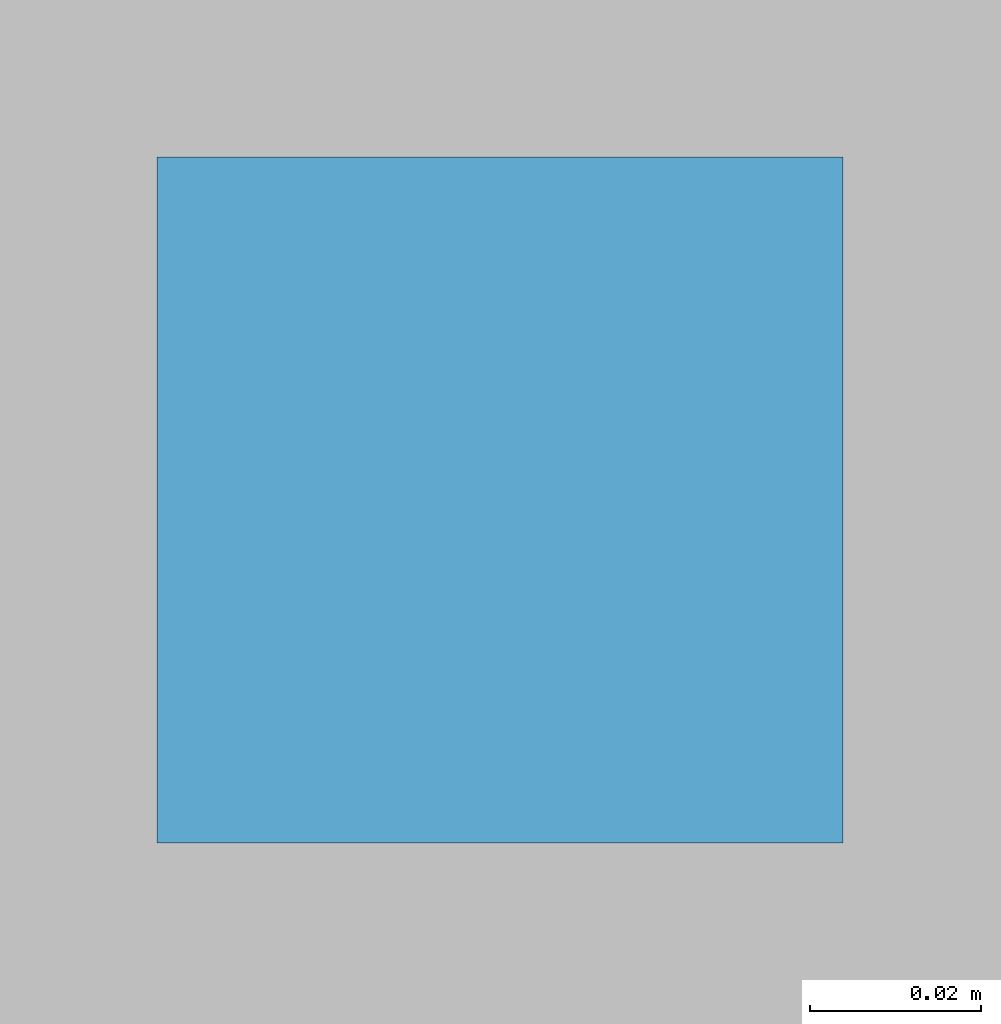
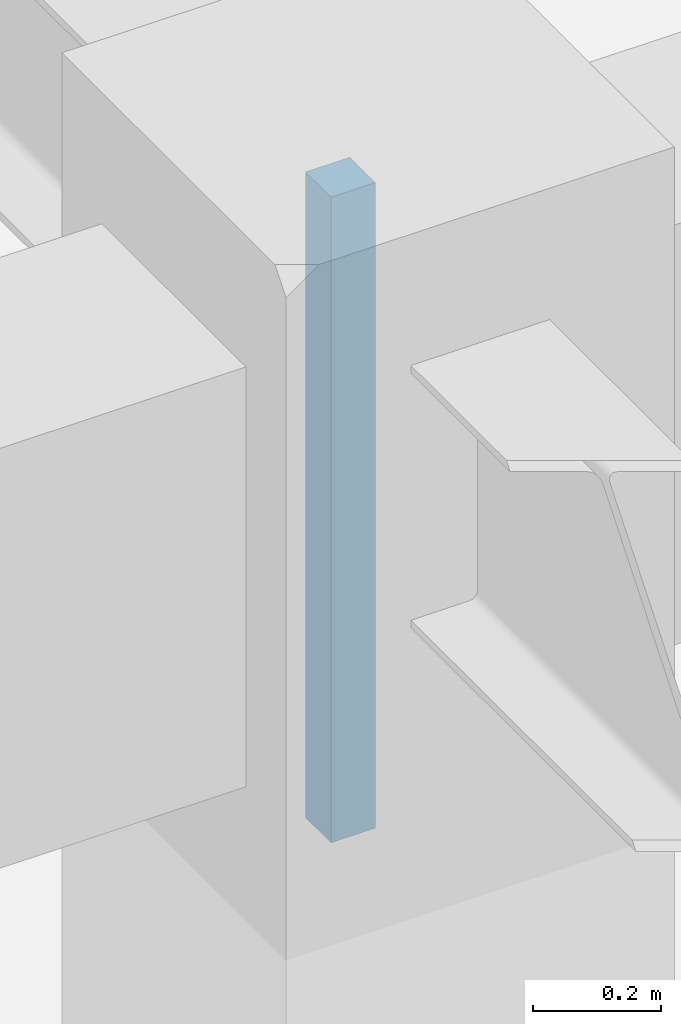
# One storey, part 142 of 163: 1 discrete accessory.
"""IFC4 building model written with IfcOpenShell, lengths in metres."""

from ifc_helpers import new_model, si_unit, direction, frame, origin, origin_2d, place, context, subcontext, project, spatial, rectangle, extrude, material, layer, layer_set, type_object, element, save


model = new_model("IFC4")

# Units and contexts
model_context = context("Model", 3, precision=1e-05, world=origin(), true_north=direction((0.0, 1.0)))
body_context = subcontext(model_context, "Body", "Model", "MODEL_VIEW")
ifc_project = project(units=[si_unit("LENGTHUNIT", "METRE"), si_unit("AREAUNIT", "SQUARE_METRE"), si_unit("VOLUMEUNIT", "CUBIC_METRE"), si_unit("PLANEANGLEUNIT", "RADIAN"), si_unit("MASSUNIT", "GRAM", prefix="KILO")], contexts=[model_context])

# Site, building, storey
site_placement = place(None, origin())
site = spatial("IfcSite", under=ifc_project, at=site_placement, CompositionType="ELEMENT")
building_placement = place(site_placement, origin())
building = spatial("IfcBuilding", under=site, at=building_placement, Name="Varnabhumi Central Station", CompositionType="ELEMENT")
storey_placement = place(building_placement, frame((0.0, 0.0, 9.60009765625)))
storey = spatial("IfcBuildingStorey", under=building, at=storey_placement, Name="L02", CompositionType="ELEMENT", Elevation=9.60009765625)

# Discrete accessory
ifc_material = material(Name="Structural steel E350", Category="steel")
ifc_layer = layer(ifc_material, 0.159912109375, Name="Structural steel E350", Category="steel")
ifc_layer_set = layer_set([ifc_layer], Name="Structural steel E350")
discrete_accessory_type = type_object("IfcDiscreteAccessoryType", Name="ACC-SHADE-BRKT", PredefinedType="BRACKET", material=ifc_layer_set)
discrete_accessory_placement = place(storey_placement, frame((47.949951171875, 27.0, 5.239990234375), z_axis=(0.0, 0.0, 1.0), x_axis=(1.0, 0.0, 0.0)))
element("IfcDiscreteAccessory", 1, at=discrete_accessory_placement, inside=storey, type_object=discrete_accessory_type, Name="South General Waiting Hall Ceiling Hanger", PredefinedType="BRACKET", context=body_context, shape_type="SweptSolid", body=[
    extrude(rectangle(XDim=0.080078125, YDim=0.080078125, at=origin_2d()), origin(), (0.0, 0.0, 1.0), 1.22998046875),
])

save(model, "model.ifc")
